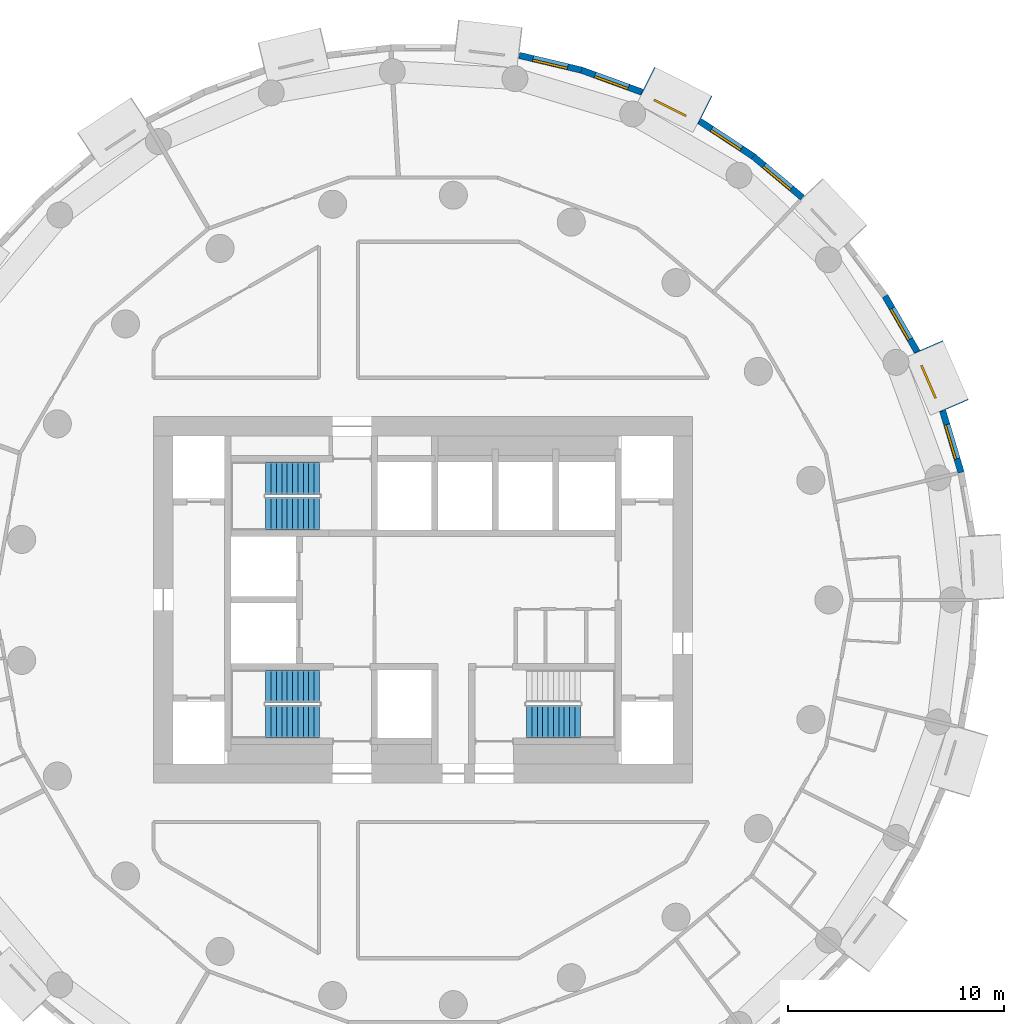
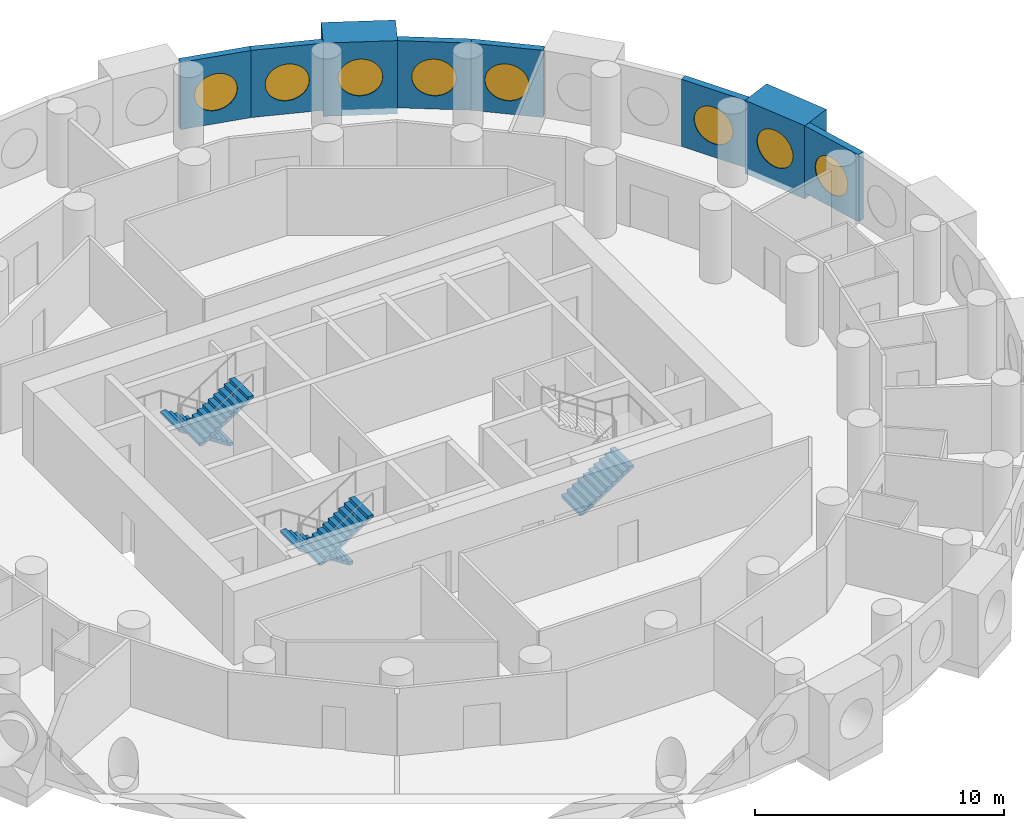
# One storey, part 8 of 10: 8 walls, 8 windows, 5 stair flights, 8 openings, 3 elements without a shape of their own.
"""IFC4 building model written with IfcOpenShell, lengths in metres."""

from ifc_helpers import new_model, si_unit, direction, frame, frame_2d, origin, origin_2d, place, context, subcontext, project, spatial, polyline, rectangle, circle, outline, extrude, material, layer, layer_set, type_object, element, fill, aggregate, save


model = new_model("IFC4")

# Units and contexts
model_context = context("Model", 3, precision=1e-05, world=origin(), true_north=direction((0.0, 1.0)))
body_context = subcontext(model_context, "Body", "Model", "MODEL_VIEW")
ifc_project = project(units=[si_unit("LENGTHUNIT", "METRE"), si_unit("AREAUNIT", "SQUARE_METRE"), si_unit("VOLUMEUNIT", "CUBIC_METRE"), si_unit("PLANEANGLEUNIT", "RADIAN"), si_unit("MASSUNIT", "GRAM", prefix="KILO")], contexts=[model_context])

# Site, building, storey
site_placement = place(None, origin())
site = spatial("IfcSite", under=ifc_project, at=site_placement, CompositionType="ELEMENT")
building_placement = place(site_placement, origin())
building = spatial("IfcBuilding", under=site, at=building_placement, Name="Tracery Tower", CompositionType="ELEMENT")
storey_placement = place(building_placement, frame((0.0, 0.0, 194.39990234375)))
storey = spatial("IfcBuildingStorey", under=building, at=storey_placement, Name="L50", CompositionType="ELEMENT", Elevation=194.39990234375)

# Wall, opening, window
ifc_material_1 = material(Name="Precast concrete C50/60", Category="concrete")
ifc_layer_1 = layer(ifc_material_1, 1.449951171875)
ifc_layer_set_1 = layer_set([ifc_layer_1], Name="Deep-set bay unit 3000 x 3600, slab edge 300")
wall_type_1 = type_object("IfcWallType", Name="Deep-set bay unit 3000 x 3600, slab edge 300", PredefinedType="ELEMENTEDWALL", material=ifc_layer_set_1)
wall_1_placement = place(storey_placement, frame((24.632080078125, 8.99169921875, -0.2998046875), z_axis=(0.0, 0.0, 1.0), x_axis=(-0.396079003245, 0.918216435917, 0.0)))
wall_1 = element("IfcWall", 1, at=wall_1_placement, inside=storey, type_object=wall_type_1, Name="Deep-set bay unit 4 at L50", PredefinedType="ELEMENTEDWALL", context=body_context, shape_type="SweptSolid", body=[
    extrude(rectangle(XDim=3.0, YDim=1.449951171875, at=frame_2d((1.5, 0.0))), origin(), (0.0, 0.0, 1.0), 3.599853515625),
])
opening_1_placement = place(wall_1_placement, frame((1.5, 0.0, 1.85009765625)))
opening_1 = element("IfcOpeningElement", 2, at=opening_1_placement, cuts=wall_1, Name="Opening WN1", PredefinedType="OPENING", context=body_context, shape_type="SweptSolid", body=[
    extrude(circle(Radius=0.9000244140625, at=origin_2d()), frame((0.0, 0.73486328125, 0.0), z_axis=(0.0, -1.0, 0.0), x_axis=(1.0, 0.0, 0.0)), (0.0, 0.0, 1.0), 1.469970703125),
])
ifc_material_2 = material(Name="Aluminium frame with tinted double glazing", Category="aluminium")
window_type = type_object("IfcWindowType", Name="Round window 1800", PartitioningType="SINGLE_PANEL", PredefinedType="WINDOW", material=ifc_material_2)
window_1_placement = place(opening_1_placement, origin())
window_1 = element("IfcWindow", 3, at=window_1_placement, inside=storey, type_object=window_type, Name="Round window 4 at L50", OverallHeight=1.800048828125, OverallWidth=1.800048828125, PartitioningType="SINGLE_PANEL", PredefinedType="WINDOW", context=body_context, shape_type="SweptSolid", body=[
    extrude(circle(Radius=0.9000244140625, at=origin_2d()), frame((0.0, 0.69482421875, 0.0), z_axis=(0.0, -1.0, 0.0), x_axis=(1.0, 0.0, 0.0)), (0.0, 0.0, 1.0), 0.10009765625),
])
fill(opening_1, window_1)

wall_2_placement = place(storey_placement, frame((13.089599609375, 22.72119140625, -0.2998046875), z_axis=(0.0, 0.0, 1.0), x_axis=(-0.893628249713, 0.448807922518, 0.0)))
wall_2 = element("IfcWall", 4, at=wall_2_placement, inside=storey, type_object=wall_type_1, Name="Deep-set bay unit 10 at L50", PredefinedType="ELEMENTEDWALL", context=body_context, shape_type="SweptSolid", body=[
    extrude(rectangle(XDim=3.0, YDim=1.449951171875, at=frame_2d((1.5, 0.0))), origin(), (0.0, 0.0, 1.0), 3.599853515625),
])
opening_2_placement = place(wall_2_placement, frame((1.5, 0.0, 1.85009765625)))
opening_2 = element("IfcOpeningElement", 5, at=opening_2_placement, cuts=wall_2, Name="Opening WN1", PredefinedType="OPENING", context=body_context, shape_type="SweptSolid", body=[
    extrude(circle(Radius=0.9000244140625, at=origin_2d()), frame((0.0, 0.73486328125, 0.0), z_axis=(0.0, -1.0, 0.0), x_axis=(1.0, 0.0, 0.0)), (0.0, 0.0, 1.0), 1.469970703125),
])
window_2_placement = place(opening_2_placement, origin())
window_2 = element("IfcWindow", 6, at=window_2_placement, inside=storey, type_object=window_type, Name="Round window 10 at L50", OverallHeight=1.800048828125, OverallWidth=1.800048828125, PartitioningType="SINGLE_PANEL", PredefinedType="WINDOW", context=body_context, shape_type="SweptSolid", body=[
    extrude(circle(Radius=0.9000244140625, at=origin_2d()), frame((0.0, 0.69482421875, 0.0), z_axis=(0.0, -1.0, 0.0), x_axis=(1.0, 0.0, 0.0)), (0.0, 0.0, 1.0), 0.10009765625),
])
fill(opening_2, window_2)

ifc_material_3 = material(Name="Precast concrete C50/60", Category="concrete")
ifc_layer_2 = layer(ifc_material_3, 0.300048828125)
ifc_layer_set_2 = layer_set([ifc_layer_2], Name="Facade panel 3000 x 3300")
wall_type_2 = type_object("IfcWallType", Name="Facade panel 3000 x 3300", PredefinedType="SOLIDWALL", material=ifc_layer_set_2)
wall_3_placement = place(storey_placement, frame((24.9560546875, 5.914794921875, 0.0), z_axis=(0.0, 0.0, 1.0), x_axis=(-0.286782750849, 0.957995643944, 0.0)))
wall_3 = element("IfcWall", 7, at=wall_3_placement, inside=storey, type_object=wall_type_2, Name="Facade panel 3 at L50", PredefinedType="SOLIDWALL", context=body_context, shape_type="SweptSolid", body=[
    extrude(rectangle(XDim=2.97265625, YDim=0.300048828125, at=frame_2d((1.486328125, 0.0))), origin(), (0.0, 0.0, 1.0), 3.300048828125),
])
opening_3_placement = place(wall_3_placement, frame((1.486328125, 0.0, 1.5498046875)))
opening_3 = element("IfcOpeningElement", 8, at=opening_3_placement, cuts=wall_3, Name="Opening WN1", PredefinedType="OPENING", context=body_context, shape_type="SweptSolid", body=[
    extrude(circle(Radius=0.9000244140625, at=origin_2d()), frame((0.0, 0.159912109375, 0.0), z_axis=(0.0, -1.0, 0.0), x_axis=(1.0, 0.0, 0.0)), (0.0, 0.0, 1.0), 0.320068359375),
])
window_3_placement = place(opening_3_placement, origin())
window_3 = element("IfcWindow", 9, at=window_3_placement, inside=storey, type_object=window_type, Name="Round window 3 at L50", OverallHeight=1.800048828125, OverallWidth=1.800048828125, PartitioningType="SINGLE_PANEL", PredefinedType="WINDOW", context=body_context, shape_type="SweptSolid", body=[
    extrude(circle(Radius=0.9000244140625, at=origin_2d()), frame((0.0, 0.1201171875, 0.0), z_axis=(0.0, -1.0, 0.0), x_axis=(1.0, 0.0, 0.0)), (0.0, 0.0, 1.0), 0.10009765625),
])
fill(opening_3, window_3)

wall_4_placement = place(storey_placement, frame((22.91455078125, 11.518798828125, 0.0), z_axis=(0.0, 0.0, 1.0), x_axis=(-0.499954672104, 0.866051572276, 0.0)))
wall_4 = element("IfcWall", 10, at=wall_4_placement, inside=storey, type_object=wall_type_2, Name="Facade panel 5 at L50", PredefinedType="SOLIDWALL", context=body_context, shape_type="SweptSolid", body=[
    extrude(rectangle(XDim=2.972900390625, YDim=0.300048828125, at=frame_2d((1.486328125, 0.0))), origin(), (0.0, 0.0, 1.0), 3.300048828125),
])
opening_4_placement = place(wall_4_placement, frame((1.486328125, 0.0, 1.5498046875)))
opening_4 = element("IfcOpeningElement", 11, at=opening_4_placement, cuts=wall_4, Name="Opening WN1", PredefinedType="OPENING", context=body_context, shape_type="SweptSolid", body=[
    extrude(circle(Radius=0.9000244140625, at=origin_2d()), frame((0.0, 0.159912109375, 0.0), z_axis=(0.0, -1.0, 0.0), x_axis=(1.0, 0.0, 0.0)), (0.0, 0.0, 1.0), 0.320068359375),
])
window_4_placement = place(opening_4_placement, origin())
window_4 = element("IfcWindow", 12, at=window_4_placement, inside=storey, type_object=window_type, Name="Round window 5 at L50", OverallHeight=1.800048828125, OverallWidth=1.800048828125, PartitioningType="SINGLE_PANEL", PredefinedType="WINDOW", context=body_context, shape_type="SweptSolid", body=[
    extrude(circle(Radius=0.9000244140625, at=origin_2d()), frame((0.0, 0.1201171875, 0.0), z_axis=(0.0, -1.0, 0.0), x_axis=(1.0, 0.0, 0.0)), (0.0, 0.0, 1.0), 0.10009765625),
])
fill(opening_4, window_4)

wall_5_placement = place(storey_placement, frame((17.593017578125, 18.661376953125, 0.0), z_axis=(0.0, 0.0, 1.0), x_axis=(-0.766008913364, 0.642829950023, 0.0)))
wall_5 = element("IfcWall", 13, at=wall_5_placement, inside=storey, type_object=wall_type_2, Name="Facade panel 8 at L50", PredefinedType="SOLIDWALL", context=body_context, shape_type="SweptSolid", body=[
    extrude(rectangle(XDim=2.972900390625, YDim=0.300048828125, at=frame_2d((1.486328125, 0.0))), origin(), (0.0, 0.0, 1.0), 3.300048828125),
])
opening_5_placement = place(wall_5_placement, frame((1.486328125, 0.0, 1.5498046875)))
opening_5 = element("IfcOpeningElement", 14, at=opening_5_placement, cuts=wall_5, Name="Opening WN1", PredefinedType="OPENING", context=body_context, shape_type="SweptSolid", body=[
    extrude(circle(Radius=0.9000244140625, at=origin_2d()), frame((0.0, 0.159912109375, 0.0), z_axis=(0.0, -1.0, 0.0), x_axis=(1.0, 0.0, 0.0)), (0.0, 0.0, 1.0), 0.320068359375),
])
window_5_placement = place(opening_5_placement, origin())
window_5 = element("IfcWindow", 15, at=window_5_placement, inside=storey, type_object=window_type, Name="Round window 8 at L50", OverallHeight=1.800048828125, OverallWidth=1.800048828125, PartitioningType="SINGLE_PANEL", PredefinedType="WINDOW", context=body_context, shape_type="SweptSolid", body=[
    extrude(circle(Radius=0.9000244140625, at=origin_2d()), frame((0.0, 0.1201171875, 0.0), z_axis=(0.0, -1.0, 0.0), x_axis=(1.0, 0.0, 0.0)), (0.0, 0.0, 1.0), 0.10009765625),
])
fill(opening_5, window_5)

wall_6_placement = place(storey_placement, frame((15.315673828125, 20.572509765625, 0.0), z_axis=(0.0, 0.0, 1.0), x_axis=(-0.835508361394, 0.54947773207, 0.0)))
wall_6 = element("IfcWall", 16, at=wall_6_placement, inside=storey, type_object=wall_type_2, Name="Facade panel 9 at L50", PredefinedType="SOLIDWALL", context=body_context, shape_type="SweptSolid", body=[
    extrude(rectangle(XDim=2.972900390625, YDim=0.300048828125, at=frame_2d((1.486328125, 0.0))), origin(), (0.0, 0.0, 1.0), 3.300048828125),
])
opening_6_placement = place(wall_6_placement, frame((1.486328125, 0.0, 1.5498046875)))
opening_6 = element("IfcOpeningElement", 17, at=opening_6_placement, cuts=wall_6, Name="Opening WN1", PredefinedType="OPENING", context=body_context, shape_type="SweptSolid", body=[
    extrude(circle(Radius=0.9000244140625, at=origin_2d()), frame((0.0, 0.159912109375, 0.0), z_axis=(0.0, -1.0, 0.0), x_axis=(1.0, 0.0, 0.0)), (0.0, 0.0, 1.0), 0.320068359375),
])
window_6_placement = place(opening_6_placement, origin())
window_6 = element("IfcWindow", 18, at=window_6_placement, inside=storey, type_object=window_type, Name="Round window 9 at L50", OverallHeight=1.800048828125, OverallWidth=1.800048828125, PartitioningType="SINGLE_PANEL", PredefinedType="WINDOW", context=body_context, shape_type="SweptSolid", body=[
    extrude(circle(Radius=0.9000244140625, at=origin_2d()), frame((0.0, 0.1201171875, 0.0), z_axis=(0.0, -1.0, 0.0), x_axis=(1.0, 0.0, 0.0)), (0.0, 0.0, 1.0), 0.10009765625),
])
fill(opening_6, window_6)

wall_7_placement = place(storey_placement, frame((10.1494140625, 23.55322265625, 0.0), z_axis=(0.0, 0.0, 1.0), x_axis=(-0.939690282133, 0.342026568652, 0.0)))
wall_7 = element("IfcWall", 19, at=wall_7_placement, inside=storey, type_object=wall_type_2, Name="Facade panel 11 at L50", PredefinedType="SOLIDWALL", context=body_context, shape_type="SweptSolid", body=[
    extrude(rectangle(XDim=2.972900390625, YDim=0.300048828125, at=frame_2d((1.486328125, 0.0))), origin(), (0.0, 0.0, 1.0), 3.300048828125),
])
opening_7_placement = place(wall_7_placement, frame((1.486328125, 0.0, 1.5498046875)))
opening_7 = element("IfcOpeningElement", 20, at=opening_7_placement, cuts=wall_7, Name="Opening WN1", PredefinedType="OPENING", context=body_context, shape_type="SweptSolid", body=[
    extrude(circle(Radius=0.9000244140625, at=origin_2d()), frame((0.0, 0.159912109375, 0.0), z_axis=(0.0, -1.0, 0.0), x_axis=(1.0, 0.0, 0.0)), (0.0, 0.0, 1.0), 0.320068359375),
])
window_7_placement = place(opening_7_placement, origin())
window_7 = element("IfcWindow", 21, at=window_7_placement, inside=storey, type_object=window_type, Name="Round window 11 at L50", OverallHeight=1.800048828125, OverallWidth=1.800048828125, PartitioningType="SINGLE_PANEL", PredefinedType="WINDOW", context=body_context, shape_type="SweptSolid", body=[
    extrude(circle(Radius=0.9000244140625, at=origin_2d()), frame((0.0, 0.1201171875, 0.0), z_axis=(0.0, -1.0, 0.0), x_axis=(1.0, 0.0, 0.0)), (0.0, 0.0, 1.0), 0.10009765625),
])
fill(opening_7, window_7)

wall_8_placement = place(storey_placement, frame((7.355712890625, 24.570068359375, 0.0), z_axis=(0.0, 0.0, 1.0), x_axis=(-0.973045378923, 0.230613725862, 0.0)))
wall_8 = element("IfcWall", 22, at=wall_8_placement, inside=storey, type_object=wall_type_2, Name="Facade panel 12 at L50", PredefinedType="SOLIDWALL", context=body_context, shape_type="SweptSolid", body=[
    extrude(rectangle(XDim=2.97265625, YDim=0.300048828125, at=frame_2d((1.486328125, 0.0))), origin(), (0.0, 0.0, 1.0), 3.300048828125),
])
opening_8_placement = place(wall_8_placement, frame((1.486328125, 0.0, 1.5498046875)))
opening_8 = element("IfcOpeningElement", 23, at=opening_8_placement, cuts=wall_8, Name="Opening WN1", PredefinedType="OPENING", context=body_context, shape_type="SweptSolid", body=[
    extrude(circle(Radius=0.9000244140625, at=origin_2d()), frame((0.0, 0.159912109375, 0.0), z_axis=(0.0, -1.0, 0.0), x_axis=(1.0, 0.0, 0.0)), (0.0, 0.0, 1.0), 0.320068359375),
])
window_8_placement = place(opening_8_placement, origin())
window_8 = element("IfcWindow", 24, at=window_8_placement, inside=storey, type_object=window_type, Name="Round window 12 at L50", OverallHeight=1.800048828125, OverallWidth=1.800048828125, PartitioningType="SINGLE_PANEL", PredefinedType="WINDOW", context=body_context, shape_type="SweptSolid", body=[
    extrude(circle(Radius=0.9000244140625, at=origin_2d()), frame((0.0, 0.1201171875, 0.0), z_axis=(0.0, -1.0, 0.0), x_axis=(1.0, 0.0, 0.0)), (0.0, 0.0, 1.0), 0.10009765625),
])
fill(opening_8, window_8)

# Stair, stair flights
ifc_material_4 = material(Name="Concrete C32/40", Category="concrete")
stair_type = type_object("IfcStairType", Name="Core stair 22 risers", PredefinedType="HALF_TURN_STAIR", material=ifc_material_4)
stair_1_placement = place(storey_placement, origin())
stair_1 = element("IfcStair", 25, at=stair_1_placement, inside=storey, type_object=stair_type, Name="L50 stair ST1", PredefinedType="HALF_TURN_STAIR")
ifc_material_5 = material(Name="Concrete C32/40", Category="concrete")
stair_flight_type = type_object("IfcStairFlightType", Name="Core stair flight 11 risers", PredefinedType="STRAIGHT", material=ifc_material_5)
stair_flight_1_placement = place(storey_placement, frame((-4.800048828125, -4.0, 0.0), z_axis=(0.0, 0.0, 1.0), x_axis=(-1.0, 0.0, 0.0)))
stair_flight_1 = element("IfcStairFlight", 26, at=stair_flight_1_placement, type_object=stair_flight_type, Name="ST1 flight 1", NumberOfRisers=11, NumberOfTreads=10, PredefinedType="STRAIGHT", RiserHeight=0.163636364, TreadLength=0.25, context=body_context, shape_type="SweptSolid", body=[
    extrude(outline(polyline([(0.0, 0.0), (0.0, 0.002685546875), (0.0, 0.00537109375), (0.0, 0.008056640625), (0.0, 0.0107421875), (0.0, 0.013427734375), (0.0, 0.01611328125), (0.0, 0.018798828125), (0.0, 0.021484375), (0.0, 0.024169921875), (0.0, 0.02685546875), (0.0, 0.029541015625), (0.0, 0.0322265625), (0.0, 0.034912109375), (0.0, 0.03759765625), (0.0, 0.040283203125), (0.0, 0.04296875), (0.0, 0.045654296875), (0.0, 0.04833984375), (0.0, 0.051025390625), (0.0, 0.0537109375), (0.0, 0.056396484375), (0.0, 0.05908203125), (0.0, 0.061767578125), (0.0, 0.064453125), (0.0, 0.067138671875), (0.0, 0.06982421875), (0.0, 0.072509765625), (0.0, 0.0751953125), (0.0, 0.077880859375), (0.0, 0.08056640625), (0.0, 0.083251953125), (0.0, 0.0859375), (0.0, 0.088623046875), (0.0, 0.09130859375), (0.0, 0.093994140625), (0.0, 0.0966796875), (0.0, 0.099365234375), (0.0, 0.10205078125), (0.0, 0.104736328125), (0.0, 0.107421875), (0.0, 0.10986328125), (0.0, 0.112548828125), (0.0, 0.115234375), (0.0, 0.117919921875), (0.0, 0.12060546875), (0.0, 0.123291015625), (0.0, 0.1259765625), (0.0, 0.128662109375), (0.0, 0.13134765625), (0.0, 0.134033203125), (0.0, 0.13671875), (0.0, 0.139404296875), (0.0, 0.14208984375), (0.0, 0.144775390625), (0.0, 0.1474609375), (0.0, 0.150146484375), (0.0, 0.15283203125), (0.0, 0.155517578125), (0.0, 0.158203125), (0.0, 0.160888671875), (0.0, 0.16357421875), (0.25, 0.16357421875), (0.25, 0.327392578125), (0.5, 0.327392578125), (0.5, 0.490966796875), (0.75, 0.490966796875), (0.75, 0.654541015625), (1.0, 0.654541015625), (1.0, 0.818115234375), (1.25, 0.818115234375), (1.25, 0.98193359375), (1.5, 0.98193359375), (1.5, 1.1455078125), (1.75, 1.1455078125), (1.75, 1.30908203125), (2.0, 1.30908203125), (2.0, 1.47265625), (2.25, 1.47265625), (2.25, 1.636474609375), (2.5, 1.636474609375), (2.5, 1.634521484375), (2.5, 1.63232421875), (2.5, 1.63037109375), (2.5, 1.62841796875), (2.5, 1.62646484375), (2.5, 1.62451171875), (2.5, 1.62255859375), (2.5, 1.62060546875), (2.5, 1.61865234375), (2.5, 1.61669921875), (2.5, 1.61474609375), (2.5, 1.61279296875), (2.5, 1.61083984375), (2.5, 1.60888671875), (2.5, 1.60693359375), (2.5, 1.60498046875), (2.5, 1.60302734375), (2.5, 1.60107421875), (2.5, 1.59912109375), (2.5, 1.59716796875), (2.5, 1.59521484375), (2.5, 1.59326171875), (2.5, 1.59130859375), (2.5, 1.58935546875), (2.5, 1.58740234375), (2.5, 1.58544921875), (2.5, 1.58349609375), (2.5, 1.58154296875), (2.5, 1.57958984375), (2.5, 1.57763671875), (2.5, 1.57568359375), (2.5, 1.573486328125), (2.5, 1.571533203125), (2.5, 1.569580078125), (2.5, 1.567626953125), (2.5, 1.565673828125), (2.5, 1.563720703125), (2.5, 1.561767578125), (2.5, 1.559814453125), (2.5, 1.557861328125), (2.5, 1.555908203125), (2.5, 1.553955078125), (2.5, 1.552001953125), (2.5, 1.550048828125), (2.5, 1.548095703125), (2.5, 1.546142578125), (2.5, 1.544189453125), (2.5, 1.542236328125), (2.5, 1.540283203125), (2.5, 1.538330078125), (2.5, 1.536376953125), (2.5, 1.534423828125), (2.5, 1.532470703125), (2.5, 1.530517578125), (2.5, 1.528564453125), (2.5, 1.526611328125), (2.5, 1.524658203125), (2.5, 1.522705078125), (2.5, 1.520751953125), (2.5, 1.518798828125), (2.5, 1.516845703125), (0.182861328125, 0.0), (0.0, 0.0)])), frame((0.0, 0.75, 0.0), z_axis=(0.0, -1.0, 0.0), x_axis=(1.0, 0.0, 0.0)), (0.0, 0.0, 1.0), 1.5),
])
stair_flight_2_placement = place(storey_placement, frame((-7.300048828125, -5.64990234375, 1.800048828125), z_axis=(0.0, 0.0, 1.0), x_axis=(1.0, 0.0, 0.0)))
stair_flight_2 = element("IfcStairFlight", 27, at=stair_flight_2_placement, type_object=stair_flight_type, Name="ST1 flight 2", NumberOfRisers=11, NumberOfTreads=10, PredefinedType="STRAIGHT", RiserHeight=0.163636364, TreadLength=0.25, context=body_context, shape_type="SweptSolid", body=[
    extrude(outline(polyline([(0.0, 0.0), (0.0, 0.002685546875), (0.0, 0.00537109375), (0.0, 0.008056640625), (0.0, 0.0107421875), (0.0, 0.013427734375), (0.0, 0.01611328125), (0.0, 0.018798828125), (0.0, 0.021484375), (0.0, 0.024169921875), (0.0, 0.02685546875), (0.0, 0.029541015625), (0.0, 0.0322265625), (0.0, 0.034912109375), (0.0, 0.03759765625), (0.0, 0.040283203125), (0.0, 0.04296875), (0.0, 0.045654296875), (0.0, 0.04833984375), (0.0, 0.051025390625), (0.0, 0.0537109375), (0.0, 0.056396484375), (0.0, 0.05908203125), (0.0, 0.061767578125), (0.0, 0.064453125), (0.0, 0.067138671875), (0.0, 0.06982421875), (0.0, 0.072509765625), (0.0, 0.0751953125), (0.0, 0.077880859375), (0.0, 0.08056640625), (0.0, 0.083251953125), (0.0, 0.0859375), (0.0, 0.088623046875), (0.0, 0.09130859375), (0.0, 0.093994140625), (0.0, 0.0966796875), (0.0, 0.099365234375), (0.0, 0.10205078125), (0.0, 0.104736328125), (0.0, 0.107421875), (0.0, 0.10986328125), (0.0, 0.112548828125), (0.0, 0.115234375), (0.0, 0.117919921875), (0.0, 0.12060546875), (0.0, 0.123291015625), (0.0, 0.1259765625), (0.0, 0.128662109375), (0.0, 0.13134765625), (0.0, 0.134033203125), (0.0, 0.13671875), (0.0, 0.139404296875), (0.0, 0.14208984375), (0.0, 0.144775390625), (0.0, 0.1474609375), (0.0, 0.150146484375), (0.0, 0.15283203125), (0.0, 0.155517578125), (0.0, 0.158203125), (0.0, 0.160888671875), (0.0, 0.16357421875), (0.25, 0.16357421875), (0.25, 0.327392578125), (0.5, 0.327392578125), (0.5, 0.490966796875), (0.75, 0.490966796875), (0.75, 0.654541015625), (1.0, 0.654541015625), (1.0, 0.818115234375), (1.25, 0.818115234375), (1.25, 0.98193359375), (1.5, 0.98193359375), (1.5, 1.1455078125), (1.75, 1.1455078125), (1.75, 1.30908203125), (2.0, 1.30908203125), (2.0, 1.47265625), (2.25, 1.47265625), (2.25, 1.636474609375), (2.5, 1.636474609375), (2.5, 1.634521484375), (2.5, 1.63232421875), (2.5, 1.63037109375), (2.5, 1.62841796875), (2.5, 1.62646484375), (2.5, 1.62451171875), (2.5, 1.62255859375), (2.5, 1.62060546875), (2.5, 1.61865234375), (2.5, 1.61669921875), (2.5, 1.61474609375), (2.5, 1.61279296875), (2.5, 1.61083984375), (2.5, 1.60888671875), (2.5, 1.60693359375), (2.5, 1.60498046875), (2.5, 1.60302734375), (2.5, 1.60107421875), (2.5, 1.59912109375), (2.5, 1.59716796875), (2.5, 1.59521484375), (2.5, 1.59326171875), (2.5, 1.59130859375), (2.5, 1.58935546875), (2.5, 1.58740234375), (2.5, 1.58544921875), (2.5, 1.58349609375), (2.5, 1.58154296875), (2.5, 1.57958984375), (2.5, 1.57763671875), (2.5, 1.57568359375), (2.5, 1.573486328125), (2.5, 1.571533203125), (2.5, 1.569580078125), (2.5, 1.567626953125), (2.5, 1.565673828125), (2.5, 1.563720703125), (2.5, 1.561767578125), (2.5, 1.559814453125), (2.5, 1.557861328125), (2.5, 1.555908203125), (2.5, 1.553955078125), (2.5, 1.552001953125), (2.5, 1.550048828125), (2.5, 1.548095703125), (2.5, 1.546142578125), (2.5, 1.544189453125), (2.5, 1.542236328125), (2.5, 1.540283203125), (2.5, 1.538330078125), (2.5, 1.536376953125), (2.5, 1.534423828125), (2.5, 1.532470703125), (2.5, 1.530517578125), (2.5, 1.528564453125), (2.5, 1.526611328125), (2.5, 1.524658203125), (2.5, 1.522705078125), (2.5, 1.520751953125), (2.5, 1.518798828125), (2.5, 1.516845703125), (0.182861328125, 0.0), (0.0, 0.0)])), frame((0.0, 0.75, 0.0), z_axis=(0.0, -1.0, 0.0), x_axis=(1.0, 0.0, 0.0)), (0.0, 0.0, 1.0), 1.5),
])
aggregate(stair_1, [stair_flight_1, stair_flight_2])

stair_2_placement = place(storey_placement, origin())
stair_2 = element("IfcStair", 28, at=stair_2_placement, inside=storey, type_object=stair_type, Name="L50 stair ST3", PredefinedType="HALF_TURN_STAIR")
stair_flight_3_placement = place(storey_placement, frame((-4.800048828125, 5.64990234375, 0.0), z_axis=(0.0, 0.0, 1.0), x_axis=(-1.0, 0.0, 0.0)))
stair_flight_3 = element("IfcStairFlight", 29, at=stair_flight_3_placement, type_object=stair_flight_type, Name="ST3 flight 1", NumberOfRisers=11, NumberOfTreads=10, PredefinedType="STRAIGHT", RiserHeight=0.163636364, TreadLength=0.25, context=body_context, shape_type="SweptSolid", body=[
    extrude(outline(polyline([(0.0, 0.0), (0.0, 0.002685546875), (0.0, 0.00537109375), (0.0, 0.008056640625), (0.0, 0.0107421875), (0.0, 0.013427734375), (0.0, 0.01611328125), (0.0, 0.018798828125), (0.0, 0.021484375), (0.0, 0.024169921875), (0.0, 0.02685546875), (0.0, 0.029541015625), (0.0, 0.0322265625), (0.0, 0.034912109375), (0.0, 0.03759765625), (0.0, 0.040283203125), (0.0, 0.04296875), (0.0, 0.045654296875), (0.0, 0.04833984375), (0.0, 0.051025390625), (0.0, 0.0537109375), (0.0, 0.056396484375), (0.0, 0.05908203125), (0.0, 0.061767578125), (0.0, 0.064453125), (0.0, 0.067138671875), (0.0, 0.06982421875), (0.0, 0.072509765625), (0.0, 0.0751953125), (0.0, 0.077880859375), (0.0, 0.08056640625), (0.0, 0.083251953125), (0.0, 0.0859375), (0.0, 0.088623046875), (0.0, 0.09130859375), (0.0, 0.093994140625), (0.0, 0.0966796875), (0.0, 0.099365234375), (0.0, 0.10205078125), (0.0, 0.104736328125), (0.0, 0.107421875), (0.0, 0.10986328125), (0.0, 0.112548828125), (0.0, 0.115234375), (0.0, 0.117919921875), (0.0, 0.12060546875), (0.0, 0.123291015625), (0.0, 0.1259765625), (0.0, 0.128662109375), (0.0, 0.13134765625), (0.0, 0.134033203125), (0.0, 0.13671875), (0.0, 0.139404296875), (0.0, 0.14208984375), (0.0, 0.144775390625), (0.0, 0.1474609375), (0.0, 0.150146484375), (0.0, 0.15283203125), (0.0, 0.155517578125), (0.0, 0.158203125), (0.0, 0.160888671875), (0.0, 0.16357421875), (0.25, 0.16357421875), (0.25, 0.327392578125), (0.5, 0.327392578125), (0.5, 0.490966796875), (0.75, 0.490966796875), (0.75, 0.654541015625), (1.0, 0.654541015625), (1.0, 0.818115234375), (1.25, 0.818115234375), (1.25, 0.98193359375), (1.5, 0.98193359375), (1.5, 1.1455078125), (1.75, 1.1455078125), (1.75, 1.30908203125), (2.0, 1.30908203125), (2.0, 1.47265625), (2.25, 1.47265625), (2.25, 1.636474609375), (2.5, 1.636474609375), (2.5, 1.634521484375), (2.5, 1.63232421875), (2.5, 1.63037109375), (2.5, 1.62841796875), (2.5, 1.62646484375), (2.5, 1.62451171875), (2.5, 1.62255859375), (2.5, 1.62060546875), (2.5, 1.61865234375), (2.5, 1.61669921875), (2.5, 1.61474609375), (2.5, 1.61279296875), (2.5, 1.61083984375), (2.5, 1.60888671875), (2.5, 1.60693359375), (2.5, 1.60498046875), (2.5, 1.60302734375), (2.5, 1.60107421875), (2.5, 1.59912109375), (2.5, 1.59716796875), (2.5, 1.59521484375), (2.5, 1.59326171875), (2.5, 1.59130859375), (2.5, 1.58935546875), (2.5, 1.58740234375), (2.5, 1.58544921875), (2.5, 1.58349609375), (2.5, 1.58154296875), (2.5, 1.57958984375), (2.5, 1.57763671875), (2.5, 1.57568359375), (2.5, 1.573486328125), (2.5, 1.571533203125), (2.5, 1.569580078125), (2.5, 1.567626953125), (2.5, 1.565673828125), (2.5, 1.563720703125), (2.5, 1.561767578125), (2.5, 1.559814453125), (2.5, 1.557861328125), (2.5, 1.555908203125), (2.5, 1.553955078125), (2.5, 1.552001953125), (2.5, 1.550048828125), (2.5, 1.548095703125), (2.5, 1.546142578125), (2.5, 1.544189453125), (2.5, 1.542236328125), (2.5, 1.540283203125), (2.5, 1.538330078125), (2.5, 1.536376953125), (2.5, 1.534423828125), (2.5, 1.532470703125), (2.5, 1.530517578125), (2.5, 1.528564453125), (2.5, 1.526611328125), (2.5, 1.524658203125), (2.5, 1.522705078125), (2.5, 1.520751953125), (2.5, 1.518798828125), (2.5, 1.516845703125), (0.182861328125, 0.0), (0.0, 0.0)])), frame((0.0, 0.75, 0.0), z_axis=(0.0, -1.0, 0.0), x_axis=(1.0, 0.0, 0.0)), (0.0, 0.0, 1.0), 1.5),
])
stair_flight_4_placement = place(storey_placement, frame((-7.300048828125, 4.0, 1.800048828125), z_axis=(0.0, 0.0, 1.0), x_axis=(1.0, 0.0, 0.0)))
stair_flight_4 = element("IfcStairFlight", 30, at=stair_flight_4_placement, type_object=stair_flight_type, Name="ST3 flight 2", NumberOfRisers=11, NumberOfTreads=10, PredefinedType="STRAIGHT", RiserHeight=0.163636364, TreadLength=0.25, context=body_context, shape_type="SweptSolid", body=[
    extrude(outline(polyline([(0.0, 0.0), (0.0, 0.002685546875), (0.0, 0.00537109375), (0.0, 0.008056640625), (0.0, 0.0107421875), (0.0, 0.013427734375), (0.0, 0.01611328125), (0.0, 0.018798828125), (0.0, 0.021484375), (0.0, 0.024169921875), (0.0, 0.02685546875), (0.0, 0.029541015625), (0.0, 0.0322265625), (0.0, 0.034912109375), (0.0, 0.03759765625), (0.0, 0.040283203125), (0.0, 0.04296875), (0.0, 0.045654296875), (0.0, 0.04833984375), (0.0, 0.051025390625), (0.0, 0.0537109375), (0.0, 0.056396484375), (0.0, 0.05908203125), (0.0, 0.061767578125), (0.0, 0.064453125), (0.0, 0.067138671875), (0.0, 0.06982421875), (0.0, 0.072509765625), (0.0, 0.0751953125), (0.0, 0.077880859375), (0.0, 0.08056640625), (0.0, 0.083251953125), (0.0, 0.0859375), (0.0, 0.088623046875), (0.0, 0.09130859375), (0.0, 0.093994140625), (0.0, 0.0966796875), (0.0, 0.099365234375), (0.0, 0.10205078125), (0.0, 0.104736328125), (0.0, 0.107421875), (0.0, 0.10986328125), (0.0, 0.112548828125), (0.0, 0.115234375), (0.0, 0.117919921875), (0.0, 0.12060546875), (0.0, 0.123291015625), (0.0, 0.1259765625), (0.0, 0.128662109375), (0.0, 0.13134765625), (0.0, 0.134033203125), (0.0, 0.13671875), (0.0, 0.139404296875), (0.0, 0.14208984375), (0.0, 0.144775390625), (0.0, 0.1474609375), (0.0, 0.150146484375), (0.0, 0.15283203125), (0.0, 0.155517578125), (0.0, 0.158203125), (0.0, 0.160888671875), (0.0, 0.16357421875), (0.25, 0.16357421875), (0.25, 0.327392578125), (0.5, 0.327392578125), (0.5, 0.490966796875), (0.75, 0.490966796875), (0.75, 0.654541015625), (1.0, 0.654541015625), (1.0, 0.818115234375), (1.25, 0.818115234375), (1.25, 0.98193359375), (1.5, 0.98193359375), (1.5, 1.1455078125), (1.75, 1.1455078125), (1.75, 1.30908203125), (2.0, 1.30908203125), (2.0, 1.47265625), (2.25, 1.47265625), (2.25, 1.636474609375), (2.5, 1.636474609375), (2.5, 1.634521484375), (2.5, 1.63232421875), (2.5, 1.63037109375), (2.5, 1.62841796875), (2.5, 1.62646484375), (2.5, 1.62451171875), (2.5, 1.62255859375), (2.5, 1.62060546875), (2.5, 1.61865234375), (2.5, 1.61669921875), (2.5, 1.61474609375), (2.5, 1.61279296875), (2.5, 1.61083984375), (2.5, 1.60888671875), (2.5, 1.60693359375), (2.5, 1.60498046875), (2.5, 1.60302734375), (2.5, 1.60107421875), (2.5, 1.59912109375), (2.5, 1.59716796875), (2.5, 1.59521484375), (2.5, 1.59326171875), (2.5, 1.59130859375), (2.5, 1.58935546875), (2.5, 1.58740234375), (2.5, 1.58544921875), (2.5, 1.58349609375), (2.5, 1.58154296875), (2.5, 1.57958984375), (2.5, 1.57763671875), (2.5, 1.57568359375), (2.5, 1.573486328125), (2.5, 1.571533203125), (2.5, 1.569580078125), (2.5, 1.567626953125), (2.5, 1.565673828125), (2.5, 1.563720703125), (2.5, 1.561767578125), (2.5, 1.559814453125), (2.5, 1.557861328125), (2.5, 1.555908203125), (2.5, 1.553955078125), (2.5, 1.552001953125), (2.5, 1.550048828125), (2.5, 1.548095703125), (2.5, 1.546142578125), (2.5, 1.544189453125), (2.5, 1.542236328125), (2.5, 1.540283203125), (2.5, 1.538330078125), (2.5, 1.536376953125), (2.5, 1.534423828125), (2.5, 1.532470703125), (2.5, 1.530517578125), (2.5, 1.528564453125), (2.5, 1.526611328125), (2.5, 1.524658203125), (2.5, 1.522705078125), (2.5, 1.520751953125), (2.5, 1.518798828125), (2.5, 1.516845703125), (0.182861328125, 0.0), (0.0, 0.0)])), frame((0.0, 0.75, 0.0), z_axis=(0.0, -1.0, 0.0), x_axis=(1.0, 0.0, 0.0)), (0.0, 0.0, 1.0), 1.5),
])
aggregate(stair_2, [stair_flight_3, stair_flight_4])

# Stair, stair flight
stair_3_placement = place(storey_placement, origin())
stair_3 = element("IfcStair", 31, at=stair_3_placement, inside=storey, type_object=stair_type, Name="L50 stair ST2", PredefinedType="HALF_TURN_STAIR")
stair_flight_5_placement = place(storey_placement, frame((4.800048828125, -5.64990234375, 0.0), z_axis=(0.0, 0.0, 1.0), x_axis=(1.0, 0.0, 0.0)))
stair_flight_5 = element("IfcStairFlight", 32, at=stair_flight_5_placement, type_object=stair_flight_type, Name="ST2 flight 1", NumberOfRisers=11, NumberOfTreads=10, PredefinedType="STRAIGHT", RiserHeight=0.163636364, TreadLength=0.25, context=body_context, shape_type="SweptSolid", body=[
    extrude(outline(polyline([(0.0, 0.0), (0.0, 0.002685546875), (0.0, 0.00537109375), (0.0, 0.008056640625), (0.0, 0.0107421875), (0.0, 0.013427734375), (0.0, 0.01611328125), (0.0, 0.018798828125), (0.0, 0.021484375), (0.0, 0.024169921875), (0.0, 0.02685546875), (0.0, 0.029541015625), (0.0, 0.0322265625), (0.0, 0.034912109375), (0.0, 0.03759765625), (0.0, 0.040283203125), (0.0, 0.04296875), (0.0, 0.045654296875), (0.0, 0.04833984375), (0.0, 0.051025390625), (0.0, 0.0537109375), (0.0, 0.056396484375), (0.0, 0.05908203125), (0.0, 0.061767578125), (0.0, 0.064453125), (0.0, 0.067138671875), (0.0, 0.06982421875), (0.0, 0.072509765625), (0.0, 0.0751953125), (0.0, 0.077880859375), (0.0, 0.08056640625), (0.0, 0.083251953125), (0.0, 0.0859375), (0.0, 0.088623046875), (0.0, 0.09130859375), (0.0, 0.093994140625), (0.0, 0.0966796875), (0.0, 0.099365234375), (0.0, 0.10205078125), (0.0, 0.104736328125), (0.0, 0.107421875), (0.0, 0.10986328125), (0.0, 0.112548828125), (0.0, 0.115234375), (0.0, 0.117919921875), (0.0, 0.12060546875), (0.0, 0.123291015625), (0.0, 0.1259765625), (0.0, 0.128662109375), (0.0, 0.13134765625), (0.0, 0.134033203125), (0.0, 0.13671875), (0.0, 0.139404296875), (0.0, 0.14208984375), (0.0, 0.144775390625), (0.0, 0.1474609375), (0.0, 0.150146484375), (0.0, 0.15283203125), (0.0, 0.155517578125), (0.0, 0.158203125), (0.0, 0.160888671875), (0.0, 0.16357421875), (0.25, 0.16357421875), (0.25, 0.327392578125), (0.5, 0.327392578125), (0.5, 0.490966796875), (0.75, 0.490966796875), (0.75, 0.654541015625), (1.0, 0.654541015625), (1.0, 0.818115234375), (1.25, 0.818115234375), (1.25, 0.98193359375), (1.5, 0.98193359375), (1.5, 1.1455078125), (1.75, 1.1455078125), (1.75, 1.30908203125), (2.0, 1.30908203125), (2.0, 1.47265625), (2.25, 1.47265625), (2.25, 1.636474609375), (2.5, 1.636474609375), (2.5, 1.634521484375), (2.5, 1.63232421875), (2.5, 1.63037109375), (2.5, 1.62841796875), (2.5, 1.62646484375), (2.5, 1.62451171875), (2.5, 1.62255859375), (2.5, 1.62060546875), (2.5, 1.61865234375), (2.5, 1.61669921875), (2.5, 1.61474609375), (2.5, 1.61279296875), (2.5, 1.61083984375), (2.5, 1.60888671875), (2.5, 1.60693359375), (2.5, 1.60498046875), (2.5, 1.60302734375), (2.5, 1.60107421875), (2.5, 1.59912109375), (2.5, 1.59716796875), (2.5, 1.59521484375), (2.5, 1.59326171875), (2.5, 1.59130859375), (2.5, 1.58935546875), (2.5, 1.58740234375), (2.5, 1.58544921875), (2.5, 1.58349609375), (2.5, 1.58154296875), (2.5, 1.57958984375), (2.5, 1.57763671875), (2.5, 1.57568359375), (2.5, 1.573486328125), (2.5, 1.571533203125), (2.5, 1.569580078125), (2.5, 1.567626953125), (2.5, 1.565673828125), (2.5, 1.563720703125), (2.5, 1.561767578125), (2.5, 1.559814453125), (2.5, 1.557861328125), (2.5, 1.555908203125), (2.5, 1.553955078125), (2.5, 1.552001953125), (2.5, 1.550048828125), (2.5, 1.548095703125), (2.5, 1.546142578125), (2.5, 1.544189453125), (2.5, 1.542236328125), (2.5, 1.540283203125), (2.5, 1.538330078125), (2.5, 1.536376953125), (2.5, 1.534423828125), (2.5, 1.532470703125), (2.5, 1.530517578125), (2.5, 1.528564453125), (2.5, 1.526611328125), (2.5, 1.524658203125), (2.5, 1.522705078125), (2.5, 1.520751953125), (2.5, 1.518798828125), (2.5, 1.516845703125), (0.182861328125, 0.0), (0.0, 0.0)])), frame((0.0, 0.75, 0.0), z_axis=(0.0, -1.0, 0.0), x_axis=(1.0, 0.0, 0.0)), (0.0, 0.0, 1.0), 1.5),
])
aggregate(stair_3, [stair_flight_5])

save(model, "model.ifc")
